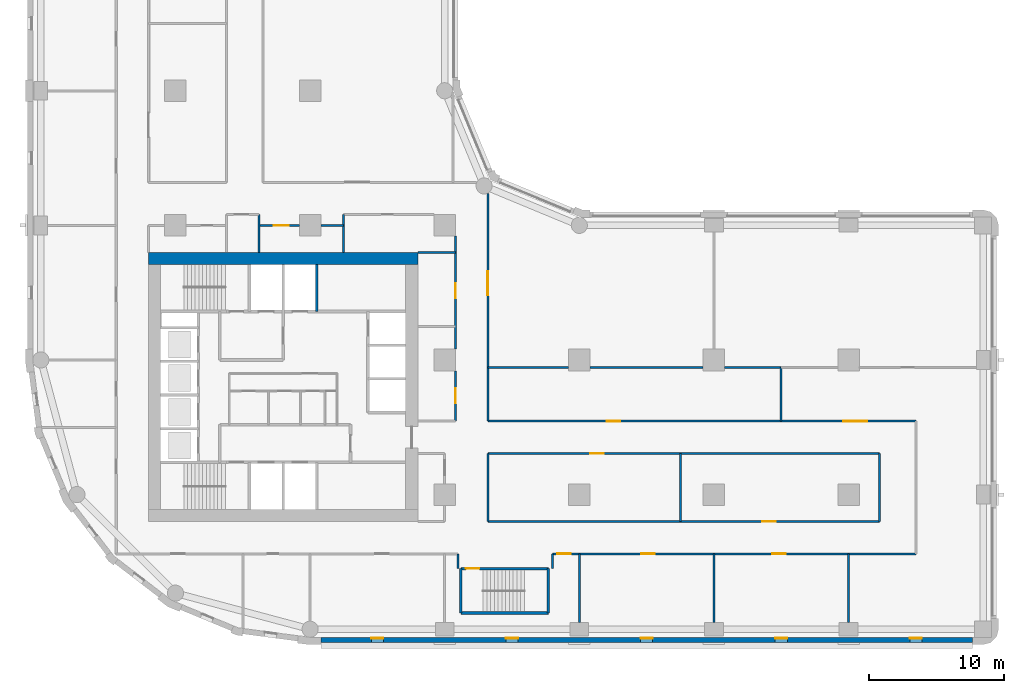
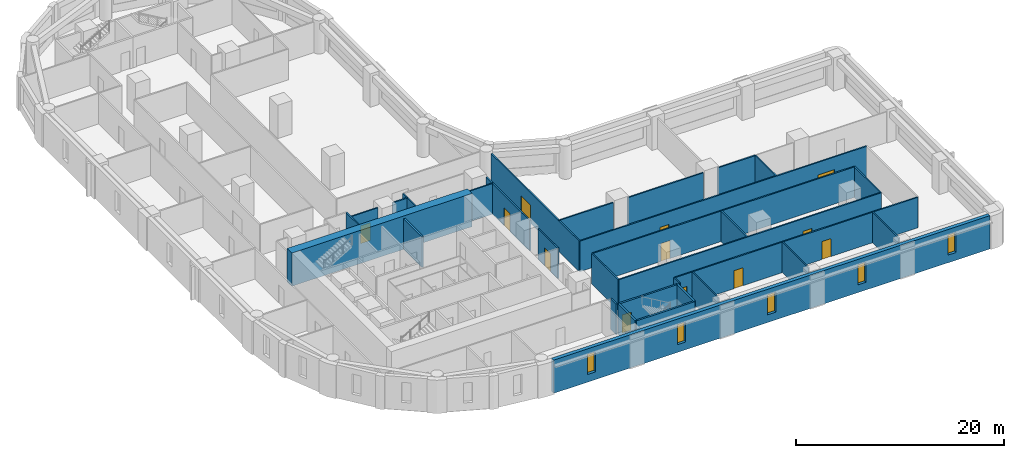
# One storey, part 4 of 11: 31 walls, 12 doors, 5 windows, 17 openings.
"""IFC4 building model written with IfcOpenShell, lengths in metres."""

import ifcopenshell
import ifcopenshell.guid

model = None  # the IFC model being written
_history = None  # IfcOwnerHistory: only IFC2X3 demands one
_inside = {}  # id of a spatial element -> (the spatial element, [elements in it])
_under = {}  # id of a project, library or spatial element -> (it, [spatial elements below it])
_declared = {}  # id of a project -> (the project, [libraries it declares])
_typed = {}  # id of a type object -> (the type object, [elements of that type])
_made_of = {}  # id of a material, layer set ... -> (it, [elements and type objects made of it])


def new_model(schema):
    """Start an empty IFC model of exactly this schema.

    Asked for "IFC4X3", IfcOpenShell would pick the latest addendum, in which some entities
    have other attributes; the version numbers below select the first issue.
    IFC2X3 requires an IfcOwnerHistory on every rooted entity: one is made here for all.
    """
    global model, _history
    if schema == "IFC4X3":
        model = ifcopenshell.file(schema_version=(4, 3, 0, 0))
    else:
        model = ifcopenshell.file(schema=schema)
    _inside.clear()
    _under.clear()
    _declared.clear()
    _typed.clear()
    _made_of.clear()
    _history = None
    if model.schema == "IFC2X3":
        org = make("IfcOrganization", Name="unknown")
        user = make(
            "IfcPersonAndOrganization",
            ThePerson=make("IfcPerson", FamilyName="unknown"),
            TheOrganization=org,
        )
        app = make(
            "IfcApplication",
            ApplicationDeveloper=org,
            Version="unknown",
            ApplicationFullName="unknown",
            ApplicationIdentifier="unknown",
        )
        _history = make(
            "IfcOwnerHistory",
            OwningUser=user,
            OwningApplication=app,
            ChangeAction="ADDED",
            CreationDate=0,
        )
    return model


def make(cls, **values):
    """One entity of the class cls with the attributes given. An attribute that is None is left unset."""
    return model.create_entity(
        cls, **{name: value for name, value in values.items() if value is not None}
    )


def rooted(cls, **values):
    """An entity with a GlobalId (a new one), such as an element, a storey or a relation."""
    return make(cls, GlobalId=ifcopenshell.guid.new(), OwnerHistory=_history, **values)


def si_unit(unit_type, name, prefix=None):
    """IfcSIUnit, for example si_unit("LENGTHUNIT", "METRE", prefix="MILLI")."""
    return make("IfcSIUnit", UnitType=unit_type, Prefix=prefix, Name=name)


def assignment(units):
    """IfcUnitAssignment: the units of a project."""
    return None if units is None else make("IfcUnitAssignment", Units=units)


def point(xyz):
    """IfcCartesianPoint."""
    return None if xyz is None else make("IfcCartesianPoint", Coordinates=xyz)


def direction(xyz):
    """IfcDirection."""
    return None if xyz is None else make("IfcDirection", DirectionRatios=xyz)


def frame(location, z_axis=None, x_axis=None):
    """IfcAxis2Placement3D, a coordinate frame: its origin and axes. An axis left out is left unset."""
    return make(
        "IfcAxis2Placement3D",
        Location=point(location),
        Axis=direction(z_axis),
        RefDirection=direction(x_axis),
    )


def frame_2d(location, x_axis=None):
    """IfcAxis2Placement2D, a coordinate frame in the plane: its origin and x axis."""
    return make(
        "IfcAxis2Placement2D", Location=point(location), RefDirection=direction(x_axis)
    )


def origin():
    """The frame at (0, 0, 0) with its axes left unset."""
    return frame((0.0, 0.0, 0.0))


def place(relative_to, where):
    """IfcLocalPlacement: puts the frame where relative to a parent placement (None: the world)."""
    return make(
        "IfcLocalPlacement", PlacementRelTo=relative_to, RelativePlacement=where
    )


def context(
    kind, dimensions, precision=None, world=None, true_north=None, identifier=None
):
    """IfcGeometricRepresentationContext, for example the 3D "Model" context."""
    return make(
        "IfcGeometricRepresentationContext",
        ContextIdentifier=identifier,
        ContextType=kind,
        CoordinateSpaceDimension=dimensions,
        Precision=precision,
        WorldCoordinateSystem=world,
        TrueNorth=true_north,
    )


def subcontext(parent, identifier, kind, view, scale=None):
    """IfcGeometricRepresentationSubContext, for example "Body" below "Model"."""
    return make(
        "IfcGeometricRepresentationSubContext",
        ContextIdentifier=identifier,
        ContextType=kind,
        ParentContext=parent,
        TargetScale=scale,
        TargetView=view,
    )


def project(units=None, contexts=None):
    """IfcProject with its units and contexts."""
    return rooted(
        "IfcProject",
        Name="project",
        RepresentationContexts=contexts,
        UnitsInContext=assignment(units),
    )


def spatial(cls, under=None, at=None, **own):
    """A site, building, storey or space (cls), placed at a placement, below another one or the project."""
    s = rooted(cls, ObjectPlacement=at, **own)
    if under is not None:
        _under.setdefault(under.id(), (under, []))[1].append(s)
    return s


def profile(cls, at=None, kind="AREA", **sizes):
    """A parametric profile (cls). Its sizes go by their IFC names, for example OverallWidth=200.0."""
    return make(cls, ProfileType=kind, Position=at, **sizes)


def rectangle(**sizes):
    """IfcRectangleProfileDef."""
    return profile("IfcRectangleProfileDef", **sizes)


def extrude(swept, where, along, depth):
    """IfcExtrudedAreaSolid: the profile swept, set in the frame where, extruded along a direction by depth."""
    return make(
        "IfcExtrudedAreaSolid",
        SweptArea=swept,
        Position=where,
        ExtrudedDirection=direction(along),
        Depth=depth,
    )


def shape(context_of_items, identifier, shape_type, items):
    """IfcShapeRepresentation: the items that make up one representation, for example the "Body"."""
    return make(
        "IfcShapeRepresentation",
        ContextOfItems=context_of_items,
        RepresentationIdentifier=identifier,
        RepresentationType=shape_type,
        Items=items,
    )


def material(Name=None, Category=None):
    """IfcMaterial."""
    return make("IfcMaterial", Name=Name, Category=Category)


def layer(
    of_material, thickness, ventilated=None, Name=None, Category=None, Priority=None
):
    """IfcMaterialLayer: one layer of a wall or slab, of a material (None: an air gap)."""
    return make(
        "IfcMaterialLayer",
        Material=of_material,
        LayerThickness=thickness,
        IsVentilated=ventilated,
        Name=Name,
        Category=Category,
        Priority=Priority,
    )


def layer_set(layers, Name=None):
    """IfcMaterialLayerSet."""
    return make("IfcMaterialLayerSet", MaterialLayers=layers, LayerSetName=Name)


def made_of(thing, what):
    """Note that an element or type object is made of a material, layer set ...; save() writes the relation."""
    if what is not None:
        _made_of.setdefault(what.id(), (what, []))[1].append(thing)
    return thing


def type_object(cls, material=None, **own):
    """A type object (cls), such as IfcWallType, which elements share."""
    return made_of(rooted(cls, **own), material)


def element(
    cls,
    number,
    at=None,
    inside=None,
    cuts=None,
    type_object=None,
    material=None,
    context=None,
    identifier="Body",
    shape_type=None,
    held_by="IfcProductDefinitionShape",
    body=None,
    shapes=None,
    **own,
):
    """One element of the class cls, such as IfcWall. Its Tag is "e" and its number.

    at: its placement. inside: the storey or other place that contains it. cuts: it is an
    opening in that element (IfcRelVoidsElement). A single representation is given by context,
    identifier, shape_type and body (its items); several are given by shapes. held_by: the class
    of the entity that holds the representations. save() writes the other relations.
    """
    e = rooted(cls, Tag="e%d" % number, ObjectPlacement=at, **own)
    if body is not None:
        shapes = [shape(context, identifier, shape_type, body)]
    if shapes is not None:
        e.Representation = make(held_by, Representations=shapes)
    if inside is not None:
        _inside.setdefault(inside.id(), (inside, []))[1].append(e)
    if cuts is not None:
        rooted(
            "IfcRelVoidsElement", RelatingBuildingElement=cuts, RelatedOpeningElement=e
        )
    if type_object is not None:
        _typed.setdefault(type_object.id(), (type_object, []))[1].append(e)
    return made_of(e, material)


def fill(opening, filler):
    """IfcRelFillsElement: the door or window that sits in an opening."""
    return rooted(
        "IfcRelFillsElement",
        RelatingOpeningElement=opening,
        RelatedBuildingElement=filler,
    )


def aggregate(whole, parts):
    """IfcRelAggregates: a whole, such as a stair, and the parts it consists of."""
    return rooted("IfcRelAggregates", RelatingObject=whole, RelatedObjects=parts)


def save(model, path):
    """Write the relations noted so far, then the file.

    IfcRelAggregates (storeys below a building ...), IfcRelContainedInSpatialStructure (elements
    in a storey), IfcRelDefinesByType, IfcRelAssociatesMaterial and IfcRelDeclares: one each for
    every whole, place, type object, material and project.
    """
    for whole, parts in _under.values():
        aggregate(whole, parts)
    for where, things in _inside.values():
        rooted(
            "IfcRelContainedInSpatialStructure",
            RelatedElements=things,
            RelatingStructure=where,
        )
    for kind, things in _typed.values():
        rooted("IfcRelDefinesByType", RelatedObjects=things, RelatingType=kind)
    for what, things in _made_of.values():
        rooted("IfcRelAssociatesMaterial", RelatedObjects=things, RelatingMaterial=what)
    for by, libraries in _declared.values():
        rooted("IfcRelDeclares", RelatingContext=by, RelatedDefinitions=libraries)
    model.write(path)


model = new_model("IFC4")

# Units and contexts
model_context = context("Model", 3, precision=1e-05, world=origin(), true_north=direction((0.0, 1.0)))
body_context = subcontext(model_context, "Body", "Model", "MODEL_VIEW")
ifc_project = project(units=[si_unit("LENGTHUNIT", "METRE"), si_unit("AREAUNIT", "SQUARE_METRE"), si_unit("VOLUMEUNIT", "CUBIC_METRE"), si_unit("PLANEANGLEUNIT", "RADIAN"), si_unit("MASSUNIT", "GRAM", prefix="KILO")], contexts=[model_context])

# Site, building, storey
site_placement = place(None, origin())
site = spatial("IfcSite", under=ifc_project, at=site_placement, CompositionType="ELEMENT")
building_placement = place(site_placement, origin())
building = spatial("IfcBuilding", under=site, at=building_placement, Name="Qaws Garden Tower", CompositionType="ELEMENT")
storey_placement = place(building_placement, frame((0.0, 0.0, 27.60009765625)))
storey = spatial("IfcBuildingStorey", under=building, at=storey_placement, Name="L06", CompositionType="ELEMENT", Elevation=27.60009765625)

# Wall, openings, windows
ifc_material_1 = material(Name="Clay facing brick masonry", Category="masonry")
ifc_layer_1 = layer(ifc_material_1, 0.39990234375)
ifc_layer_set_1 = layer_set([ifc_layer_1], Name="Clay facing brick masonry")
wall_type_1 = type_object("IfcWallType", Name="Brick infill wall 400", PredefinedType="SOLIDWALL", material=ifc_layer_set_1)
wall_1_placement = place(storey_placement, frame((20.800048828125, -0.800048828125, 0.0), z_axis=(0.0, 0.0, 1.0), x_axis=(1.0, 0.0, 0.0)))
wall_1 = element("IfcWall", 1, at=wall_1_placement, inside=storey, type_object=wall_type_1, Name="E-L06-infill-00", PredefinedType="SOLIDWALL", context=body_context, shape_type="SweptSolid", body=[
    extrude(rectangle(XDim=48.39990234375, YDim=0.39990234375, at=frame_2d((24.199951171875, 0.0))), origin(), (0.0, 0.0, 1.0), 3.89990234375),
])
opening_1_placement = place(wall_1_placement, frame((3.75, 0.0, 0.89990234375)))
opening_1 = element("IfcOpeningElement", 2, at=opening_1_placement, cuts=wall_1, Name="Opening W09", PredefinedType="OPENING", context=body_context, shape_type="SweptSolid", body=[
    extrude(rectangle(XDim=0.89990234375, YDim=2.35009765625, at=frame_2d((0.449951171875, 1.175048828125))), frame((0.0, 0.2099609375, 0.0), z_axis=(0.0, -1.0, 0.0), x_axis=(1.0, 0.0, 0.0)), (0.0, 0.0, 1.0), 0.419921875),
])
opening_2_placement = place(wall_1_placement, frame((13.75, 0.0, 0.89990234375)))
opening_2 = element("IfcOpeningElement", 3, at=opening_2_placement, cuts=wall_1, Name="Opening W09", PredefinedType="OPENING", context=body_context, shape_type="SweptSolid", body=[
    extrude(rectangle(XDim=0.89990234375, YDim=2.35009765625, at=frame_2d((0.449951171875, 1.175048828125))), frame((0.0, 0.2099609375, 0.0), z_axis=(0.0, -1.0, 0.0), x_axis=(1.0, 0.0, 0.0)), (0.0, 0.0, 1.0), 0.419921875),
])
opening_3_placement = place(wall_1_placement, frame((23.75, 0.0, 0.89990234375)))
opening_3 = element("IfcOpeningElement", 4, at=opening_3_placement, cuts=wall_1, Name="Opening W09", PredefinedType="OPENING", context=body_context, shape_type="SweptSolid", body=[
    extrude(rectangle(XDim=0.89990234375, YDim=2.35009765625, at=frame_2d((0.449951171875, 1.175048828125))), frame((0.0, 0.2099609375, 0.0), z_axis=(0.0, -1.0, 0.0), x_axis=(1.0, 0.0, 0.0)), (0.0, 0.0, 1.0), 0.419921875),
])
opening_4_placement = place(wall_1_placement, frame((33.75, 0.0, 0.89990234375)))
opening_4 = element("IfcOpeningElement", 5, at=opening_4_placement, cuts=wall_1, Name="Opening W09", PredefinedType="OPENING", context=body_context, shape_type="SweptSolid", body=[
    extrude(rectangle(XDim=0.89990234375, YDim=2.35009765625, at=frame_2d((0.449951171875, 1.175048828125))), frame((0.0, 0.2099609375, 0.0), z_axis=(0.0, -1.0, 0.0), x_axis=(1.0, 0.0, 0.0)), (0.0, 0.0, 1.0), 0.419921875),
])
opening_5_placement = place(wall_1_placement, frame((43.75, 0.0, 0.89990234375)))
opening_5 = element("IfcOpeningElement", 6, at=opening_5_placement, cuts=wall_1, Name="Opening W09", PredefinedType="OPENING", context=body_context, shape_type="SweptSolid", body=[
    extrude(rectangle(XDim=0.89990234375, YDim=2.35009765625, at=frame_2d((0.449951171875, 1.175048828125))), frame((0.0, 0.2099609375, 0.0), z_axis=(0.0, -1.0, 0.0), x_axis=(1.0, 0.0, 0.0)), (0.0, 0.0, 1.0), 0.419921875),
])
ifc_material_2 = material(Name="Aluminium framed window, clear glazing", Category="aluminium")
window_type = type_object("IfcWindowType", Name="Slit window 900 x 2350", PartitioningType="SINGLE_PANEL", PredefinedType="WINDOW", material=ifc_material_2)
window_1_placement = place(opening_1_placement, origin())
window_1 = element("IfcWindow", 7, at=window_1_placement, inside=storey, type_object=window_type, Name="E-L06-window-00-0", OverallHeight=2.35009765625, OverallWidth=0.89990234375, PartitioningType="SINGLE_PANEL", PredefinedType="WINDOW", context=body_context, shape_type="SweptSolid", body=[
    extrude(rectangle(XDim=0.89990234375, YDim=2.35009765625, at=frame_2d((0.449951171875, 1.175048828125))), frame((0.0, 0.159912109375, 0.0), z_axis=(0.0, -1.0, 0.0), x_axis=(1.0, 0.0, 0.0)), (0.0, 0.0, 1.0), 0.06005859375),
])
fill(opening_1, window_1)
window_2_placement = place(opening_2_placement, origin())
window_2 = element("IfcWindow", 8, at=window_2_placement, inside=storey, type_object=window_type, Name="E-L06-window-01-0", OverallHeight=2.35009765625, OverallWidth=0.89990234375, PartitioningType="SINGLE_PANEL", PredefinedType="WINDOW", context=body_context, shape_type="SweptSolid", body=[
    extrude(rectangle(XDim=0.89990234375, YDim=2.35009765625, at=frame_2d((0.449951171875, 1.175048828125))), frame((0.0, 0.159912109375, 0.0), z_axis=(0.0, -1.0, 0.0), x_axis=(1.0, 0.0, 0.0)), (0.0, 0.0, 1.0), 0.06005859375),
])
fill(opening_2, window_2)
window_3_placement = place(opening_3_placement, origin())
window_3 = element("IfcWindow", 9, at=window_3_placement, inside=storey, type_object=window_type, Name="E-L06-window-02-0", OverallHeight=2.35009765625, OverallWidth=0.89990234375, PartitioningType="SINGLE_PANEL", PredefinedType="WINDOW", context=body_context, shape_type="SweptSolid", body=[
    extrude(rectangle(XDim=0.89990234375, YDim=2.35009765625, at=frame_2d((0.449951171875, 1.175048828125))), frame((0.0, 0.159912109375, 0.0), z_axis=(0.0, -1.0, 0.0), x_axis=(1.0, 0.0, 0.0)), (0.0, 0.0, 1.0), 0.06005859375),
])
fill(opening_3, window_3)
window_4_placement = place(opening_4_placement, origin())
window_4 = element("IfcWindow", 10, at=window_4_placement, inside=storey, type_object=window_type, Name="E-L06-window-03-0", OverallHeight=2.35009765625, OverallWidth=0.89990234375, PartitioningType="SINGLE_PANEL", PredefinedType="WINDOW", context=body_context, shape_type="SweptSolid", body=[
    extrude(rectangle(XDim=0.89990234375, YDim=2.35009765625, at=frame_2d((0.449951171875, 1.175048828125))), frame((0.0, 0.159912109375, 0.0), z_axis=(0.0, -1.0, 0.0), x_axis=(1.0, 0.0, 0.0)), (0.0, 0.0, 1.0), 0.06005859375),
])
fill(opening_4, window_4)
window_5_placement = place(opening_5_placement, origin())
window_5 = element("IfcWindow", 11, at=window_5_placement, inside=storey, type_object=window_type, Name="E-L06-window-04-0", OverallHeight=2.35009765625, OverallWidth=0.89990234375, PartitioningType="SINGLE_PANEL", PredefinedType="WINDOW", context=body_context, shape_type="SweptSolid", body=[
    extrude(rectangle(XDim=0.89990234375, YDim=2.35009765625, at=frame_2d((0.449951171875, 1.175048828125))), frame((0.0, 0.159912109375, 0.0), z_axis=(0.0, -1.0, 0.0), x_axis=(1.0, 0.0, 0.0)), (0.0, 0.0, 1.0), 0.06005859375),
])
fill(opening_5, window_5)

# Wall
ifc_material_3 = material(Name="Concrete C80", Category="concrete")
ifc_layer_2 = layer(ifc_material_3, 0.199951171875)
ifc_layer_set_2 = layer_set([ifc_layer_2], Name="Concrete C80")
wall_type_2 = type_object("IfcWallType", Name="Core shaft wall 200 C80", PredefinedType="SHEAR", material=ifc_layer_set_2)
wall_2_placement = place(storey_placement, frame((31.199951171875, 1.199951171875, 0.0), z_axis=(0.0, 0.0, 1.0), x_axis=(1.0, 0.0, 0.0)))
element("IfcWall", 12, at=wall_2_placement, inside=storey, type_object=wall_type_2, Name="Shaft wall", PredefinedType="SHEAR", context=body_context, shape_type="SweptSolid", body=[
    extrude(rectangle(XDim=6.5, YDim=0.199951171875, at=frame_2d((3.25, 0.0))), origin(), (0.0, 0.0, 1.0), 3.579833984375),
])

# Wall, opening, door
wall_3_placement = place(storey_placement, frame((31.199951171875, 4.5, 0.0), z_axis=(0.0, 0.0, 1.0), x_axis=(1.0, 0.0, 0.0)))
wall_3 = element("IfcWall", 13, at=wall_3_placement, inside=storey, type_object=wall_type_2, Name="Shaft wall", PredefinedType="SHEAR", context=body_context, shape_type="SweptSolid", body=[
    extrude(rectangle(XDim=6.5, YDim=0.199951171875, at=frame_2d((3.25, 0.0))), origin(), (0.0, 0.0, 1.0), 3.579833984375),
])
opening_6_placement = place(wall_3_placement, frame((0.375, 0.0, 0.0)))
opening_6 = element("IfcOpeningElement", 14, at=opening_6_placement, cuts=wall_3, Name="Opening SD12", PredefinedType="OPENING", context=body_context, shape_type="SweptSolid", body=[
    extrude(rectangle(XDim=1.0, YDim=2.10009765625, at=frame_2d((0.5, 1.050048828125))), frame((0.0, 0.10986328125, 0.0), z_axis=(0.0, -1.0, 0.0), x_axis=(1.0, 0.0, 0.0)), (0.0, 0.0, 1.0), 0.219970703125),
])
ifc_material_4 = material(Name="Steel S235", Category="steel")
door_type_1 = type_object("IfcDoorType", Name="Stair door 1000x2100", OperationType="SINGLE_SWING_RIGHT", PredefinedType="DOOR", material=ifc_material_4)
door_1_placement = place(opening_6_placement, frame((1.0, 0.0, 0.0), z_axis=(0.0, 0.0, 1.0), x_axis=(-1.0, 0.0, 0.0)))
door_1 = element("IfcDoor", 15, at=door_1_placement, inside=storey, type_object=door_type_1, Name="Stair 5 door", OperationType="SINGLE_SWING_RIGHT", OverallHeight=2.10009765625, OverallWidth=1.0, PredefinedType="DOOR", context=body_context, shape_type="SweptSolid", body=[
    extrude(rectangle(XDim=1.0, YDim=2.10009765625, at=frame_2d((0.5, 1.050048828125))), frame((0.0, 0.02490234375, 0.0), z_axis=(0.0, -1.0, 0.0), x_axis=(1.0, 0.0, 0.0)), (0.0, 0.0, 1.0), 0.050048828125),
])
fill(opening_6, door_1)

# Walls
wall_4_placement = place(storey_placement, frame((20.5, 23.60009765625, 0.0), z_axis=(0.0, 0.0, 1.0), x_axis=(0.0, 1.0, 0.0)))
element("IfcWall", 16, at=wall_4_placement, inside=storey, type_object=wall_type_2, Name="Shaft wall", PredefinedType="SHEAR", context=body_context, shape_type="SweptSolid", body=[
    extrude(rectangle(XDim=3.5, YDim=0.199951171875, at=frame_2d((1.75, 0.0))), origin(), (0.0, 0.0, 1.0), 3.579833984375),
])
for number, where, z_axis, x_axis, name in (
    (17, (31.199951171875, 1.199951171875, 0.0), (0.0, 0.0, 1.0), (0.0, 1.0, 0.0), "Shaft wall"),
    (18, (37.699951171875, 1.199951171875, 0.0), (0.0, 0.0, 1.0), (0.0, 1.0, 0.0), "Shaft wall"),
):
    element("IfcWall", number, at=place(storey_placement, frame(where, z_axis=z_axis, x_axis=x_axis)), inside=storey, type_object=wall_type_2, Name=name, PredefinedType="SHEAR", context=body_context, shape_type="SweptSolid", body=[
        extrude(rectangle(XDim=3.300048828125, YDim=0.199951171875, at=frame_2d((1.64990234375, 0.0))), origin(), (0.0, 0.0, 1.0), 3.579833984375),
    ])
ifc_material_5 = material(Name="Concrete C80", Category="concrete")
ifc_layer_3 = layer(ifc_material_5, 0.89990234375)
ifc_layer_set_3 = layer_set([ifc_layer_3], Name="Concrete C80")
wall_type_3 = type_object("IfcWallType", Name="Core wall 900 C80", PredefinedType="SHEAR", material=ifc_layer_set_3)
wall_5_placement = place(storey_placement, frame((28.0, 27.550048828125, 0.0), z_axis=(0.0, 0.0, 1.0), x_axis=(-1.0, 0.0, 0.0)))
element("IfcWall", 19, at=wall_5_placement, inside=storey, type_object=wall_type_3, Name="Core wall L06 north", PredefinedType="SHEAR", context=body_context, shape_type="SweptSolid", body=[
    extrude(rectangle(XDim=20.0, YDim=0.89990234375, at=frame_2d((10.0, 0.0))), origin(), (0.0, 0.0, 1.0), 3.89990234375),
])
ifc_material_6 = material(Name="Gypsum board partition")
ifc_layer_4 = layer(ifc_material_6, 0.14990234375)
ifc_layer_set_4 = layer_set([ifc_layer_4], Name="Gypsum board partition")
wall_type_4 = type_object("IfcWallType", Name="PARTITION 150 EI 60", PredefinedType="PARTITIONING", material=ifc_layer_set_4)
for number, where, z_axis, x_axis, name in (
    (20, (16.199951171875, 28.0, 0.0), (0.0, 0.0, 1.0), (0.0, 1.0, 0.0), "O-L06-wall-012"),
    (21, (22.5, 28.0, 0.0), (0.0, 0.0, 1.0), (0.0, 1.0, 0.0), "O-L06-wall-016"),
):
    element("IfcWall", number, at=place(storey_placement, frame(where, z_axis=z_axis, x_axis=x_axis)), inside=storey, type_object=wall_type_4, Name=name, PredefinedType="PARTITIONING", context=body_context, shape_type="SweptSolid", body=[
        extrude(rectangle(XDim=2.800048828125, YDim=0.14990234375, at=frame_2d((1.39990234375, 0.0))), origin(), (0.0, 0.0, 1.0), 3.579833984375),
    ])

# Wall, opening, door
wall_6_placement = place(storey_placement, frame((30.800048828125, 15.449951171875, 0.0), z_axis=(0.0, 0.0, 1.0), x_axis=(0.0, 1.0, 0.0)))
wall_6 = element("IfcWall", 22, at=wall_6_placement, inside=storey, type_object=wall_type_4, Name="O-L06-wall-022", PredefinedType="PARTITIONING", context=body_context, shape_type="SweptSolid", body=[
    extrude(rectangle(XDim=3.75, YDim=0.14990234375, at=frame_2d((1.875, 0.0))), origin(), (0.0, 0.0, 1.0), 3.579833984375),
])
opening_7_placement = place(wall_6_placement, frame((1.35009765625, 0.0, 0.0)))
opening_7 = element("IfcOpeningElement", 23, at=opening_7_placement, cuts=wall_6, Name="Opening A211", PredefinedType="OPENING", context=body_context, shape_type="SweptSolid", body=[
    extrude(rectangle(XDim=1.10009765625, YDim=2.10009765625, at=frame_2d((0.550048828125, 1.050048828125))), frame((0.0, 0.0849609375, 0.0), z_axis=(0.0, -1.0, 0.0), x_axis=(1.0, 0.0, 0.0)), (0.0, 0.0, 1.0), 0.169921875),
])
ifc_material_7 = material(Name="Timber door leaf", Category="wood")
door_type_2 = type_object("IfcDoorType", Name="SERVICE ROOM DOOR 1100 X 2100", OperationType="SINGLE_SWING_LEFT", PredefinedType="DOOR", material=ifc_material_7)
door_2_placement = place(opening_7_placement, origin())
door_2 = element("IfcDoor", 24, at=door_2_placement, inside=storey, type_object=door_type_2, Name="O-L06-door-011", OperationType="SINGLE_SWING_RIGHT", OverallHeight=2.10009765625, OverallWidth=1.10009765625, PredefinedType="DOOR", context=body_context, shape_type="SweptSolid", body=[
    extrude(rectangle(XDim=1.10009765625, YDim=2.10009765625, at=frame_2d((0.550048828125, 1.050048828125))), frame((0.0, 0.02490234375, 0.0), z_axis=(0.0, -1.0, 0.0), x_axis=(1.0, 0.0, 0.0)), (0.0, 0.0, 1.0), 0.050048828125),
])
fill(opening_7, door_2)

wall_7_placement = place(storey_placement, frame((30.800048828125, 20.800048828125, 0.0), z_axis=(0.0, 0.0, 1.0), x_axis=(0.0, 1.0, 0.0)))
wall_7 = element("IfcWall", 25, at=wall_7_placement, inside=storey, type_object=wall_type_4, Name="O-L06-wall-023", PredefinedType="PARTITIONING", context=body_context, shape_type="SweptSolid", body=[
    extrude(rectangle(XDim=8.39990234375, YDim=0.14990234375, at=frame_2d((4.199951171875, 0.0))), origin(), (0.0, 0.0, 1.0), 3.579833984375),
])
opening_8_placement = place(wall_7_placement, frame((3.800048828125, 0.0, 0.0)))
opening_8 = element("IfcOpeningElement", 26, at=opening_8_placement, cuts=wall_7, Name="Opening A213", PredefinedType="OPENING", context=body_context, shape_type="SweptSolid", body=[
    extrude(rectangle(XDim=1.10009765625, YDim=2.10009765625, at=frame_2d((0.550048828125, 1.050048828125))), frame((0.0, 0.0849609375, 0.0), z_axis=(0.0, -1.0, 0.0), x_axis=(1.0, 0.0, 0.0)), (0.0, 0.0, 1.0), 0.169921875),
])
door_3_placement = place(opening_8_placement, origin())
door_3 = element("IfcDoor", 27, at=door_3_placement, inside=storey, type_object=door_type_2, Name="O-L06-door-013", OperationType="SINGLE_SWING_RIGHT", OverallHeight=2.10009765625, OverallWidth=1.10009765625, PredefinedType="DOOR", context=body_context, shape_type="SweptSolid", body=[
    extrude(rectangle(XDim=1.10009765625, YDim=2.10009765625, at=frame_2d((0.550048828125, 1.050048828125))), frame((0.0, 0.02490234375, 0.0), z_axis=(0.0, -1.0, 0.0), x_axis=(1.0, 0.0, 0.0)), (0.0, 0.0, 1.0), 0.050048828125),
])
fill(opening_8, door_3)

# Walls
wall_8_placement = place(storey_placement, frame((31.0, 4.5, 0.0), z_axis=(0.0, 0.0, 1.0), x_axis=(0.0, 1.0, 0.0)))
element("IfcWall", 28, at=wall_8_placement, inside=storey, type_object=wall_type_4, Name="O-L06-wall-024", PredefinedType="PARTITIONING", context=body_context, shape_type="SweptSolid", body=[
    extrude(rectangle(XDim=1.10009765625, YDim=0.14990234375, at=frame_2d((0.550048828125, 0.0))), origin(), (0.0, 0.0, 1.0), 3.579833984375),
])
wall_9_placement = place(storey_placement, frame((33.199951171875, 8.0, 0.0), z_axis=(0.0, 0.0, 1.0), x_axis=(0.0, 1.0, 0.0)))
element("IfcWall", 29, at=wall_9_placement, inside=storey, type_object=wall_type_4, Name="O-L06-wall-025", PredefinedType="PARTITIONING", context=body_context, shape_type="SweptSolid", body=[
    extrude(rectangle(XDim=5.050048828125, YDim=0.14990234375, at=frame_2d((2.52490234375, 0.0))), origin(), (0.0, 0.0, 1.0), 3.579833984375),
])

# Wall, opening, door
wall_10_placement = place(storey_placement, frame((33.199951171875, 15.449951171875, 0.0), z_axis=(0.0, 0.0, 1.0), x_axis=(0.0, 1.0, 0.0)))
wall_10 = element("IfcWall", 30, at=wall_10_placement, inside=storey, type_object=wall_type_4, Name="O-L06-wall-026", PredefinedType="PARTITIONING", context=body_context, shape_type="SweptSolid", body=[
    extrude(rectangle(XDim=16.912109375, YDim=0.14990234375, at=frame_2d((8.4560546875, 0.0))), origin(), (0.0, 0.0, 1.0), 3.579833984375),
])
opening_9_placement = place(wall_10_placement, frame((9.35009765625, 0.0, 0.0)))
opening_9 = element("IfcOpeningElement", 31, at=opening_9_placement, cuts=wall_10, Name="Opening A209", PredefinedType="OPENING", context=body_context, shape_type="SweptSolid", body=[
    extrude(rectangle(XDim=1.800048828125, YDim=2.10009765625, at=frame_2d((0.89990234375, 1.050048828125))), frame((0.0, 0.0849609375, 0.0), z_axis=(0.0, -1.0, 0.0), x_axis=(1.0, 0.0, 0.0)), (0.0, 0.0, 1.0), 0.169921875),
])
ifc_material_8 = material(Name="Timber door leaf", Category="wood")
door_type_3 = type_object("IfcDoorType", Name="DOUBLE DOOR 1800 X 2100", OperationType="DOUBLE_DOOR_SINGLE_SWING", PredefinedType="DOOR", material=ifc_material_8)
door_4_placement = place(opening_9_placement, frame((1.800048828125, 0.0, 0.0), z_axis=(0.0, 0.0, 1.0), x_axis=(-1.0, 0.0, 0.0)))
door_4 = element("IfcDoor", 32, at=door_4_placement, inside=storey, type_object=door_type_3, Name="O-L06-door-009", OperationType="DOUBLE_DOOR_SINGLE_SWING", OverallHeight=2.10009765625, OverallWidth=1.800048828125, PredefinedType="DOOR", context=body_context, shape_type="SweptSolid", body=[
    extrude(rectangle(XDim=1.800048828125, YDim=2.10009765625, at=frame_2d((0.89990234375, 1.050048828125))), frame((0.0, 0.02490234375, 0.0), z_axis=(0.0, -1.0, 0.0), x_axis=(1.0, 0.0, 0.0)), (0.0, 0.0, 1.0), 0.050048828125),
])
fill(opening_9, door_4)

# Walls
wall_11_placement = place(storey_placement, frame((38.0, 4.5, 0.0), z_axis=(0.0, 0.0, 1.0), x_axis=(0.0, 1.0, 0.0)))
element("IfcWall", 33, at=wall_11_placement, inside=storey, type_object=wall_type_4, Name="O-L06-wall-027", PredefinedType="PARTITIONING", context=body_context, shape_type="SweptSolid", body=[
    extrude(rectangle(XDim=1.10009765625, YDim=0.14990234375, at=frame_2d((0.550048828125, 0.0))), origin(), (0.0, 0.0, 1.0), 3.579833984375),
])
wall_12_placement = place(storey_placement, frame((40.0, 0.5, 0.0), z_axis=(0.0, 0.0, 1.0), x_axis=(0.0, 1.0, 0.0)))
element("IfcWall", 34, at=wall_12_placement, inside=storey, type_object=wall_type_4, Name="O-L06-wall-028", PredefinedType="PARTITIONING", context=body_context, shape_type="SweptSolid", body=[
    extrude(rectangle(XDim=5.10009765625, YDim=0.14990234375, at=frame_2d((2.550048828125, 0.0))), origin(), (0.0, 0.0, 1.0), 3.579833984375),
])
wall_13_placement = place(storey_placement, frame((47.5, 8.0, 0.0), z_axis=(0.0, 0.0, 1.0), x_axis=(0.0, 1.0, 0.0)))
element("IfcWall", 35, at=wall_13_placement, inside=storey, type_object=wall_type_4, Name="O-L06-wall-029", PredefinedType="PARTITIONING", context=body_context, shape_type="SweptSolid", body=[
    extrude(rectangle(XDim=5.050048828125, YDim=0.14990234375, at=frame_2d((2.52490234375, 0.0))), origin(), (0.0, 0.0, 1.0), 3.579833984375),
])
wall_14_placement = place(storey_placement, frame((50.0, 0.5, 0.0), z_axis=(0.0, 0.0, 1.0), x_axis=(0.0, 1.0, 0.0)))
element("IfcWall", 36, at=wall_14_placement, inside=storey, type_object=wall_type_4, Name="O-L06-wall-030", PredefinedType="PARTITIONING", context=body_context, shape_type="SweptSolid", body=[
    extrude(rectangle(XDim=5.10009765625, YDim=0.14990234375, at=frame_2d((2.550048828125, 0.0))), origin(), (0.0, 0.0, 1.0), 3.579833984375),
])
wall_15_placement = place(storey_placement, frame((55.0, 15.449951171875, 0.0), z_axis=(0.0, 0.0, 1.0), x_axis=(0.0, 1.0, 0.0)))
element("IfcWall", 37, at=wall_15_placement, inside=storey, type_object=wall_type_4, Name="O-L06-wall-032", PredefinedType="PARTITIONING", context=body_context, shape_type="SweptSolid", body=[
    extrude(rectangle(XDim=4.0, YDim=0.14990234375, at=frame_2d((2.0, 0.0))), origin(), (0.0, 0.0, 1.0), 3.579833984375),
])
wall_16_placement = place(storey_placement, frame((60.0, 0.5, 0.0), z_axis=(0.0, 0.0, 1.0), x_axis=(0.0, 1.0, 0.0)))
element("IfcWall", 38, at=wall_16_placement, inside=storey, type_object=wall_type_4, Name="O-L06-wall-033", PredefinedType="PARTITIONING", context=body_context, shape_type="SweptSolid", body=[
    extrude(rectangle(XDim=5.10009765625, YDim=0.14990234375, at=frame_2d((2.550048828125, 0.0))), origin(), (0.0, 0.0, 1.0), 3.579833984375),
])
wall_17_placement = place(storey_placement, frame((62.300048828125, 8.0, 0.0), z_axis=(0.0, 0.0, 1.0), x_axis=(0.0, 1.0, 0.0)))
element("IfcWall", 39, at=wall_17_placement, inside=storey, type_object=wall_type_4, Name="O-L06-wall-034", PredefinedType="PARTITIONING", context=body_context, shape_type="SweptSolid", body=[
    extrude(rectangle(XDim=5.050048828125, YDim=0.14990234375, at=frame_2d((2.52490234375, 0.0))), origin(), (0.0, 0.0, 1.0), 3.579833984375),
])

# Wall, openings, doors
wall_18_placement = place(storey_placement, frame((38.0, 5.60009765625, 0.0), z_axis=(0.0, 0.0, 1.0), x_axis=(1.0, 0.0, 0.0)))
wall_18 = element("IfcWall", 40, at=wall_18_placement, inside=storey, type_object=wall_type_4, Name="O-L06-wall-037", PredefinedType="PARTITIONING", context=body_context, shape_type="SweptSolid", body=[
    extrude(rectangle(XDim=27.0, YDim=0.14990234375, at=frame_2d((13.5, 0.0))), origin(), (0.0, 0.0, 1.0), 3.579833984375),
])
opening_10_placement = place(wall_18_placement, frame((6.60009765625, 0.0, 0.0)))
opening_10 = element("IfcOpeningElement", 41, at=opening_10_placement, cuts=wall_18, Name="Opening A203", PredefinedType="OPENING", context=body_context, shape_type="SweptSolid", body=[
    extrude(rectangle(XDim=1.0, YDim=2.10009765625, at=frame_2d((0.5, 1.050048828125))), frame((0.0, 0.0849609375, 0.0), z_axis=(0.0, -1.0, 0.0), x_axis=(1.0, 0.0, 0.0)), (0.0, 0.0, 1.0), 0.169921875),
])
opening_11_placement = place(wall_18_placement, frame((16.35009765625, 0.0, 0.0)))
opening_11 = element("IfcOpeningElement", 42, at=opening_11_placement, cuts=wall_18, Name="Opening A204", PredefinedType="OPENING", context=body_context, shape_type="SweptSolid", body=[
    extrude(rectangle(XDim=1.0, YDim=2.10009765625, at=frame_2d((0.5, 1.050048828125))), frame((0.0, 0.0849609375, 0.0), z_axis=(0.0, -1.0, 0.0), x_axis=(1.0, 0.0, 0.0)), (0.0, 0.0, 1.0), 0.169921875),
])
opening_12_placement = place(wall_18_placement, frame((0.35009765625, 0.0, 0.0)))
opening_12 = element("IfcOpeningElement", 43, at=opening_12_placement, cuts=wall_18, Name="Opening A229", PredefinedType="OPENING", context=body_context, shape_type="SweptSolid", body=[
    extrude(rectangle(XDim=1.0, YDim=2.10009765625, at=frame_2d((0.5, 1.050048828125))), frame((0.0, 0.0849609375, 0.0), z_axis=(0.0, -1.0, 0.0), x_axis=(1.0, 0.0, 0.0)), (0.0, 0.0, 1.0), 0.169921875),
])
ifc_material_9 = material(Name="Timber door leaf", Category="wood")
door_type_4 = type_object("IfcDoorType", Name="TENANCY ENTRANCE DOOR 1000 X 2100", OperationType="SINGLE_SWING_LEFT", PredefinedType="DOOR", material=ifc_material_9)
door_5_placement = place(opening_10_placement, frame((1.0, 0.0, 0.0), z_axis=(0.0, 0.0, 1.0), x_axis=(-1.0, 0.0, 0.0)))
door_5 = element("IfcDoor", 44, at=door_5_placement, inside=storey, type_object=door_type_4, Name="O-L06-door-003", OperationType="SINGLE_SWING_RIGHT", OverallHeight=2.10009765625, OverallWidth=1.0, PredefinedType="DOOR", context=body_context, shape_type="SweptSolid", body=[
    extrude(rectangle(XDim=1.0, YDim=2.10009765625, at=frame_2d((0.5, 1.050048828125))), frame((0.0, 0.02490234375, 0.0), z_axis=(0.0, -1.0, 0.0), x_axis=(1.0, 0.0, 0.0)), (0.0, 0.0, 1.0), 0.050048828125),
])
fill(opening_10, door_5)
door_6_placement = place(opening_11_placement, frame((1.0, 0.0, 0.0), z_axis=(0.0, 0.0, 1.0), x_axis=(-1.0, 0.0, 0.0)))
door_6 = element("IfcDoor", 45, at=door_6_placement, inside=storey, type_object=door_type_4, Name="O-L06-door-004", OperationType="SINGLE_SWING_RIGHT", OverallHeight=2.10009765625, OverallWidth=1.0, PredefinedType="DOOR", context=body_context, shape_type="SweptSolid", body=[
    extrude(rectangle(XDim=1.0, YDim=2.10009765625, at=frame_2d((0.5, 1.050048828125))), frame((0.0, 0.02490234375, 0.0), z_axis=(0.0, -1.0, 0.0), x_axis=(1.0, 0.0, 0.0)), (0.0, 0.0, 1.0), 0.050048828125),
])
fill(opening_11, door_6)
door_7_placement = place(opening_12_placement, frame((1.0, 0.0, 0.0), z_axis=(0.0, 0.0, 1.0), x_axis=(-1.0, 0.0, 0.0)))
door_7 = element("IfcDoor", 46, at=door_7_placement, inside=storey, type_object=door_type_4, Name="O-L06-door-029", OperationType="SINGLE_SWING_RIGHT", OverallHeight=2.10009765625, OverallWidth=1.0, PredefinedType="DOOR", context=body_context, shape_type="SweptSolid", body=[
    extrude(rectangle(XDim=1.0, YDim=2.10009765625, at=frame_2d((0.5, 1.050048828125))), frame((0.0, 0.02490234375, 0.0), z_axis=(0.0, -1.0, 0.0), x_axis=(1.0, 0.0, 0.0)), (0.0, 0.0, 1.0), 0.050048828125),
])
fill(opening_12, door_7)

# Wall, opening, door
wall_19_placement = place(storey_placement, frame((33.199951171875, 8.0, 0.0), z_axis=(0.0, 0.0, 1.0), x_axis=(1.0, 0.0, 0.0)))
wall_19 = element("IfcWall", 47, at=wall_19_placement, inside=storey, type_object=wall_type_4, Name="O-L06-wall-039", PredefinedType="PARTITIONING", context=body_context, shape_type="SweptSolid", body=[
    extrude(rectangle(XDim=29.10009765625, YDim=0.14990234375, at=frame_2d((14.550048828125, 0.0))), origin(), (0.0, 0.0, 1.0), 3.579833984375),
])
opening_13_placement = place(wall_19_placement, frame((20.39990234375, 0.0, 0.0)))
opening_13 = element("IfcOpeningElement", 48, at=opening_13_placement, cuts=wall_19, Name="Opening A207", PredefinedType="OPENING", context=body_context, shape_type="SweptSolid", body=[
    extrude(rectangle(XDim=1.0, YDim=2.10009765625, at=frame_2d((0.5, 1.050048828125))), frame((0.0, 0.0849609375, 0.0), z_axis=(0.0, -1.0, 0.0), x_axis=(1.0, 0.0, 0.0)), (0.0, 0.0, 1.0), 0.169921875),
])
door_8_placement = place(opening_13_placement, origin())
door_8 = element("IfcDoor", 49, at=door_8_placement, inside=storey, type_object=door_type_4, Name="O-L06-door-007", OperationType="SINGLE_SWING_LEFT", OverallHeight=2.10009765625, OverallWidth=1.0, PredefinedType="DOOR", context=body_context, shape_type="SweptSolid", body=[
    extrude(rectangle(XDim=1.0, YDim=2.10009765625, at=frame_2d((0.5, 1.050048828125))), frame((0.0, 0.02490234375, 0.0), z_axis=(0.0, -1.0, 0.0), x_axis=(1.0, 0.0, 0.0)), (0.0, 0.0, 1.0), 0.050048828125),
])
fill(opening_13, door_8)

wall_20_placement = place(storey_placement, frame((33.199951171875, 13.050048828125, 0.0), z_axis=(0.0, 0.0, 1.0), x_axis=(1.0, 0.0, 0.0)))
wall_20 = element("IfcWall", 50, at=wall_20_placement, inside=storey, type_object=wall_type_4, Name="O-L06-wall-041", PredefinedType="PARTITIONING", context=body_context, shape_type="SweptSolid", body=[
    extrude(rectangle(XDim=29.10009765625, YDim=0.14990234375, at=frame_2d((14.550048828125, 0.0))), origin(), (0.0, 0.0, 1.0), 3.579833984375),
])
opening_14_placement = place(wall_20_placement, frame((7.60009765625, 0.0, 0.0)))
opening_14 = element("IfcOpeningElement", 51, at=opening_14_placement, cuts=wall_20, Name="Opening A206", PredefinedType="OPENING", context=body_context, shape_type="SweptSolid", body=[
    extrude(rectangle(XDim=1.0, YDim=2.10009765625, at=frame_2d((0.5, 1.050048828125))), frame((0.0, 0.0849609375, 0.0), z_axis=(0.0, -1.0, 0.0), x_axis=(1.0, 0.0, 0.0)), (0.0, 0.0, 1.0), 0.169921875),
])
door_9_placement = place(opening_14_placement, frame((1.0, 0.0, 0.0), z_axis=(0.0, 0.0, 1.0), x_axis=(-1.0, 0.0, 0.0)))
door_9 = element("IfcDoor", 52, at=door_9_placement, inside=storey, type_object=door_type_4, Name="O-L06-door-006", OperationType="SINGLE_SWING_RIGHT", OverallHeight=2.10009765625, OverallWidth=1.0, PredefinedType="DOOR", context=body_context, shape_type="SweptSolid", body=[
    extrude(rectangle(XDim=1.0, YDim=2.10009765625, at=frame_2d((0.5, 1.050048828125))), frame((0.0, 0.02490234375, 0.0), z_axis=(0.0, -1.0, 0.0), x_axis=(1.0, 0.0, 0.0)), (0.0, 0.0, 1.0), 0.050048828125),
])
fill(opening_14, door_9)

# Wall, openings, doors
wall_21_placement = place(storey_placement, frame((33.199951171875, 15.449951171875, 0.0), z_axis=(0.0, 0.0, 1.0), x_axis=(1.0, 0.0, 0.0)))
wall_21 = element("IfcWall", 53, at=wall_21_placement, inside=storey, type_object=wall_type_4, Name="O-L06-wall-044", PredefinedType="PARTITIONING", context=body_context, shape_type="SweptSolid", body=[
    extrude(rectangle(XDim=31.800048828125, YDim=0.14990234375, at=frame_2d((15.89990234375, 0.0))), origin(), (0.0, 0.0, 1.0), 3.579833984375),
])
opening_15_placement = place(wall_21_placement, frame((26.39990234375, 0.0, 0.0)))
opening_15 = element("IfcOpeningElement", 54, at=opening_15_placement, cuts=wall_21, Name="Opening A205", PredefinedType="OPENING", context=body_context, shape_type="SweptSolid", body=[
    extrude(rectangle(XDim=1.800048828125, YDim=2.10009765625, at=frame_2d((0.89990234375, 1.050048828125))), frame((0.0, 0.0849609375, 0.0), z_axis=(0.0, -1.0, 0.0), x_axis=(1.0, 0.0, 0.0)), (0.0, 0.0, 1.0), 0.169921875),
])
opening_16_placement = place(wall_21_placement, frame((8.85009765625, 0.0, 0.0)))
opening_16 = element("IfcOpeningElement", 55, at=opening_16_placement, cuts=wall_21, Name="Opening A208", PredefinedType="OPENING", context=body_context, shape_type="SweptSolid", body=[
    extrude(rectangle(XDim=1.0, YDim=2.10009765625, at=frame_2d((0.5, 1.050048828125))), frame((0.0, 0.0849609375, 0.0), z_axis=(0.0, -1.0, 0.0), x_axis=(1.0, 0.0, 0.0)), (0.0, 0.0, 1.0), 0.169921875),
])
door_10_placement = place(opening_15_placement, origin())
door_10 = element("IfcDoor", 56, at=door_10_placement, inside=storey, type_object=door_type_3, Name="O-L06-door-005", OperationType="DOUBLE_DOOR_SINGLE_SWING", OverallHeight=2.10009765625, OverallWidth=1.800048828125, PredefinedType="DOOR", context=body_context, shape_type="SweptSolid", body=[
    extrude(rectangle(XDim=1.800048828125, YDim=2.10009765625, at=frame_2d((0.89990234375, 1.050048828125))), frame((0.0, 0.02490234375, 0.0), z_axis=(0.0, -1.0, 0.0), x_axis=(1.0, 0.0, 0.0)), (0.0, 0.0, 1.0), 0.050048828125),
])
fill(opening_15, door_10)
door_11_placement = place(opening_16_placement, origin())
door_11 = element("IfcDoor", 57, at=door_11_placement, inside=storey, type_object=door_type_4, Name="O-L06-door-008", OperationType="SINGLE_SWING_LEFT", OverallHeight=2.10009765625, OverallWidth=1.0, PredefinedType="DOOR", context=body_context, shape_type="SweptSolid", body=[
    extrude(rectangle(XDim=1.0, YDim=2.10009765625, at=frame_2d((0.5, 1.050048828125))), frame((0.0, 0.02490234375, 0.0), z_axis=(0.0, -1.0, 0.0), x_axis=(1.0, 0.0, 0.0)), (0.0, 0.0, 1.0), 0.050048828125),
])
fill(opening_16, door_11)

# Walls
wall_22_placement = place(storey_placement, frame((33.199951171875, 19.449951171875, 0.0), z_axis=(0.0, 0.0, 1.0), x_axis=(1.0, 0.0, 0.0)))
element("IfcWall", 58, at=wall_22_placement, inside=storey, type_object=wall_type_4, Name="O-L06-wall-045", PredefinedType="PARTITIONING", context=body_context, shape_type="SweptSolid", body=[
    extrude(rectangle(XDim=6.0, YDim=0.14990234375, at=frame_2d((3.0, 0.0))), origin(), (0.0, 0.0, 1.0), 3.579833984375),
])
wall_23_placement = place(storey_placement, frame((40.800048828125, 19.449951171875, 0.0), z_axis=(0.0, 0.0, 1.0), x_axis=(1.0, 0.0, 0.0)))
element("IfcWall", 59, at=wall_23_placement, inside=storey, type_object=wall_type_4, Name="O-L06-wall-046", PredefinedType="PARTITIONING", context=body_context, shape_type="SweptSolid", body=[
    extrude(rectangle(XDim=8.39990234375, YDim=0.14990234375, at=frame_2d((4.199951171875, 0.0))), origin(), (0.0, 0.0, 1.0), 3.579833984375),
])
wall_24_placement = place(storey_placement, frame((50.800048828125, 19.449951171875, 0.0), z_axis=(0.0, 0.0, 1.0), x_axis=(1.0, 0.0, 0.0)))
element("IfcWall", 60, at=wall_24_placement, inside=storey, type_object=wall_type_4, Name="O-L06-wall-047", PredefinedType="PARTITIONING", context=body_context, shape_type="SweptSolid", body=[
    extrude(rectangle(XDim=4.199951171875, YDim=0.14990234375, at=frame_2d((2.10009765625, 0.0))), origin(), (0.0, 0.0, 1.0), 3.579833984375),
])
wall_25_placement = place(storey_placement, frame((28.0, 28.0, 0.0), z_axis=(0.0, 0.0, 1.0), x_axis=(1.0, 0.0, 0.0)))
element("IfcWall", 61, at=wall_25_placement, inside=storey, type_object=wall_type_4, Name="O-L06-wall-050", PredefinedType="PARTITIONING", context=body_context, shape_type="SweptSolid", body=[
    extrude(rectangle(XDim=2.800048828125, YDim=0.14990234375, at=frame_2d((1.39990234375, 0.0))), origin(), (0.0, 0.0, 1.0), 3.579833984375),
])

# Wall, opening, door
wall_26_placement = place(storey_placement, frame((16.199951171875, 30.0, 0.0), z_axis=(0.0, 0.0, 1.0), x_axis=(1.0, 0.0, 0.0)))
wall_26 = element("IfcWall", 62, at=wall_26_placement, inside=storey, type_object=wall_type_4, Name="O-L06-wall-054", PredefinedType="PARTITIONING", context=body_context, shape_type="SweptSolid", body=[
    extrude(rectangle(XDim=3.0, YDim=0.14990234375, at=frame_2d((1.5, 0.0))), origin(), (0.0, 0.0, 1.0), 3.579833984375),
])
opening_17_placement = place(wall_26_placement, frame((1.10009765625, 0.0, 0.0)))
opening_17 = element("IfcOpeningElement", 63, at=opening_17_placement, cuts=wall_26, Name="Opening A215", PredefinedType="OPENING", context=body_context, shape_type="SweptSolid", body=[
    extrude(rectangle(XDim=1.10009765625, YDim=2.10009765625, at=frame_2d((0.550048828125, 1.050048828125))), frame((0.0, 0.0849609375, 0.0), z_axis=(0.0, -1.0, 0.0), x_axis=(1.0, 0.0, 0.0)), (0.0, 0.0, 1.0), 0.169921875),
])
door_12_placement = place(opening_17_placement, frame((1.10009765625, 0.0, 0.0), z_axis=(0.0, 0.0, 1.0), x_axis=(-1.0, 0.0, 0.0)))
door_12 = element("IfcDoor", 64, at=door_12_placement, inside=storey, type_object=door_type_2, Name="O-L06-door-015", OperationType="SINGLE_SWING_LEFT", OverallHeight=2.10009765625, OverallWidth=1.10009765625, PredefinedType="DOOR", context=body_context, shape_type="SweptSolid", body=[
    extrude(rectangle(XDim=1.10009765625, YDim=2.10009765625, at=frame_2d((0.550048828125, 1.050048828125))), frame((0.0, 0.02490234375, 0.0), z_axis=(0.0, -1.0, 0.0), x_axis=(1.0, 0.0, 0.0)), (0.0, 0.0, 1.0), 0.050048828125),
])
fill(opening_17, door_12)

# Wall
wall_27_placement = place(storey_placement, frame((20.800048828125, 30.0, 0.0), z_axis=(0.0, 0.0, 1.0), x_axis=(1.0, 0.0, 0.0)))
element("IfcWall", 65, at=wall_27_placement, inside=storey, type_object=wall_type_4, Name="O-L06-wall-055", PredefinedType="PARTITIONING", context=body_context, shape_type="SweptSolid", body=[
    extrude(rectangle(XDim=1.699951171875, YDim=0.14990234375, at=frame_2d((0.85009765625, 0.0))), origin(), (0.0, 0.0, 1.0), 3.579833984375),
])

save(model, "model.ifc")
